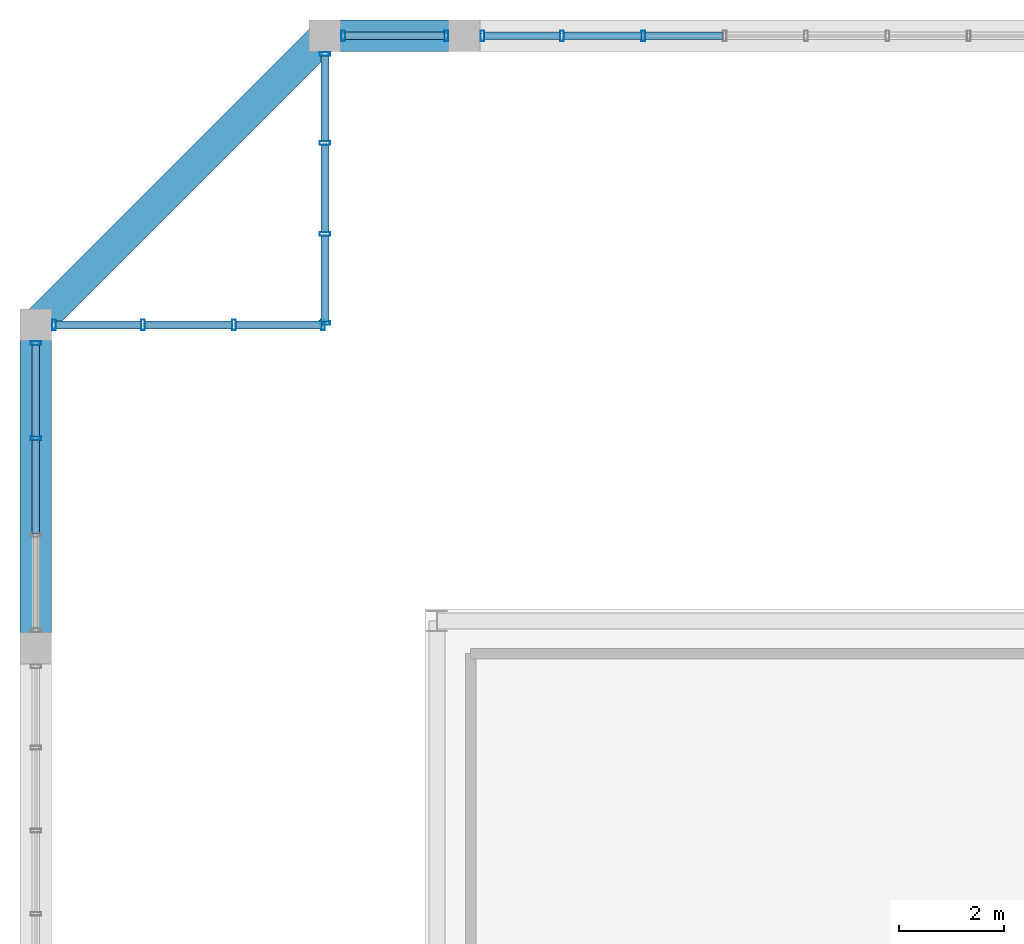
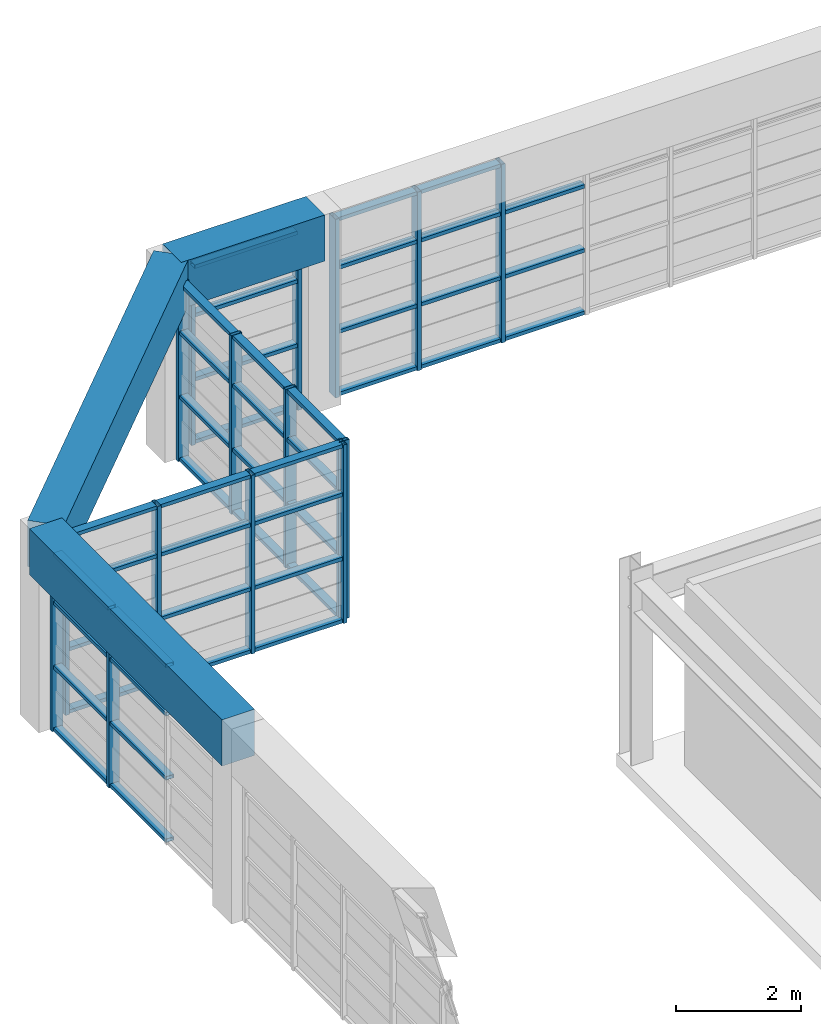
# One storey, part 17 of 27: 62 members, 3 beams, 5 elements without a shape of their own.
"""IFC4 building model written with IfcOpenShell, lengths in metres."""

import ifcopenshell
import ifcopenshell.guid

model = None  # the IFC model being written
_history = None  # IfcOwnerHistory: only IFC2X3 demands one
_inside = {}  # id of a spatial element -> (the spatial element, [elements in it])
_under = {}  # id of a project, library or spatial element -> (it, [spatial elements below it])
_declared = {}  # id of a project -> (the project, [libraries it declares])
_typed = {}  # id of a type object -> (the type object, [elements of that type])
_made_of = {}  # id of a material, layer set ... -> (it, [elements and type objects made of it])


def new_model(schema):
    """Start an empty IFC model of exactly this schema.

    Asked for "IFC4X3", IfcOpenShell would pick the latest addendum, in which some entities
    have other attributes; the version numbers below select the first issue.
    IFC2X3 requires an IfcOwnerHistory on every rooted entity: one is made here for all.
    """
    global model, _history
    if schema == "IFC4X3":
        model = ifcopenshell.file(schema_version=(4, 3, 0, 0))
    else:
        model = ifcopenshell.file(schema=schema)
    _inside.clear()
    _under.clear()
    _declared.clear()
    _typed.clear()
    _made_of.clear()
    _history = None
    if model.schema == "IFC2X3":
        org = make("IfcOrganization", Name="unknown")
        user = make(
            "IfcPersonAndOrganization",
            ThePerson=make("IfcPerson", FamilyName="unknown"),
            TheOrganization=org,
        )
        app = make(
            "IfcApplication",
            ApplicationDeveloper=org,
            Version="unknown",
            ApplicationFullName="unknown",
            ApplicationIdentifier="unknown",
        )
        _history = make(
            "IfcOwnerHistory",
            OwningUser=user,
            OwningApplication=app,
            ChangeAction="ADDED",
            CreationDate=0,
        )
    return model


def make(cls, **values):
    """One entity of the class cls with the attributes given. An attribute that is None is left unset."""
    return model.create_entity(
        cls, **{name: value for name, value in values.items() if value is not None}
    )


def rooted(cls, **values):
    """An entity with a GlobalId (a new one), such as an element, a storey or a relation."""
    return make(cls, GlobalId=ifcopenshell.guid.new(), OwnerHistory=_history, **values)


def si_unit(unit_type, name, prefix=None):
    """IfcSIUnit, for example si_unit("LENGTHUNIT", "METRE", prefix="MILLI")."""
    return make("IfcSIUnit", UnitType=unit_type, Prefix=prefix, Name=name)


def assignment(units):
    """IfcUnitAssignment: the units of a project."""
    return None if units is None else make("IfcUnitAssignment", Units=units)


def point(xyz):
    """IfcCartesianPoint."""
    return None if xyz is None else make("IfcCartesianPoint", Coordinates=xyz)


def direction(xyz):
    """IfcDirection."""
    return None if xyz is None else make("IfcDirection", DirectionRatios=xyz)


def frame(location, z_axis=None, x_axis=None):
    """IfcAxis2Placement3D, a coordinate frame: its origin and axes. An axis left out is left unset."""
    return make(
        "IfcAxis2Placement3D",
        Location=point(location),
        Axis=direction(z_axis),
        RefDirection=direction(x_axis),
    )


def frame_2d(location, x_axis=None):
    """IfcAxis2Placement2D, a coordinate frame in the plane: its origin and x axis."""
    return make(
        "IfcAxis2Placement2D", Location=point(location), RefDirection=direction(x_axis)
    )


def origin():
    """The frame at (0, 0, 0) with its axes left unset."""
    return frame((0.0, 0.0, 0.0))


def origin_2d():
    """The frame at (0, 0) in the plane with its x axis left unset."""
    return frame_2d((0.0, 0.0))


def place(relative_to, where):
    """IfcLocalPlacement: puts the frame where relative to a parent placement (None: the world)."""
    return make(
        "IfcLocalPlacement", PlacementRelTo=relative_to, RelativePlacement=where
    )


def context(
    kind, dimensions, precision=None, world=None, true_north=None, identifier=None
):
    """IfcGeometricRepresentationContext, for example the 3D "Model" context."""
    return make(
        "IfcGeometricRepresentationContext",
        ContextIdentifier=identifier,
        ContextType=kind,
        CoordinateSpaceDimension=dimensions,
        Precision=precision,
        WorldCoordinateSystem=world,
        TrueNorth=true_north,
    )


def subcontext(parent, identifier, kind, view, scale=None):
    """IfcGeometricRepresentationSubContext, for example "Body" below "Model"."""
    return make(
        "IfcGeometricRepresentationSubContext",
        ContextIdentifier=identifier,
        ContextType=kind,
        ParentContext=parent,
        TargetScale=scale,
        TargetView=view,
    )


def project(units=None, contexts=None):
    """IfcProject with its units and contexts."""
    return rooted(
        "IfcProject",
        Name="project",
        RepresentationContexts=contexts,
        UnitsInContext=assignment(units),
    )


def spatial(cls, under=None, at=None, **own):
    """A site, building, storey or space (cls), placed at a placement, below another one or the project."""
    s = rooted(cls, ObjectPlacement=at, **own)
    if under is not None:
        _under.setdefault(under.id(), (under, []))[1].append(s)
    return s


def profile(cls, at=None, kind="AREA", **sizes):
    """A parametric profile (cls). Its sizes go by their IFC names, for example OverallWidth=200.0."""
    return make(cls, ProfileType=kind, Position=at, **sizes)


def rectangle(**sizes):
    """IfcRectangleProfileDef."""
    return profile("IfcRectangleProfileDef", **sizes)


def hollow_rectangle(**sizes):
    """IfcRectangleHollowProfileDef."""
    return profile("IfcRectangleHollowProfileDef", **sizes)


def extrude(swept, where, along, depth):
    """IfcExtrudedAreaSolid: the profile swept, set in the frame where, extruded along a direction by depth."""
    return make(
        "IfcExtrudedAreaSolid",
        SweptArea=swept,
        Position=where,
        ExtrudedDirection=direction(along),
        Depth=depth,
    )


def shape(context_of_items, identifier, shape_type, items):
    """IfcShapeRepresentation: the items that make up one representation, for example the "Body"."""
    return make(
        "IfcShapeRepresentation",
        ContextOfItems=context_of_items,
        RepresentationIdentifier=identifier,
        RepresentationType=shape_type,
        Items=items,
    )


def source(mapping_origin, context_of_items, identifier, shape_type, items):
    """IfcRepresentationMap: a shape defined once, which mapped items show again and again."""
    return make(
        "IfcRepresentationMap",
        MappingOrigin=mapping_origin,
        MappedRepresentation=shape(context_of_items, identifier, shape_type, items),
    )


def transform(
    local_origin,
    x_axis=None,
    y_axis=None,
    z_axis=None,
    scale=None,
    scale2=None,
    scale3=None,
    uniform=True,
):
    """IfcCartesianTransformationOperator3D, or its non-uniform kind. x_axis, y_axis, z_axis: its Axis1, 2, 3."""
    if uniform:
        return make(
            "IfcCartesianTransformationOperator3D",
            Axis1=direction(x_axis),
            Axis2=direction(y_axis),
            LocalOrigin=point(local_origin),
            Scale=scale,
            Axis3=direction(z_axis),
        )
    return make(
        "IfcCartesianTransformationOperator3DnonUniform",
        Axis1=direction(x_axis),
        Axis2=direction(y_axis),
        LocalOrigin=point(local_origin),
        Scale=scale,
        Axis3=direction(z_axis),
        Scale2=scale2,
        Scale3=scale3,
    )


def mapped(mapping_source, mapping_target):
    """IfcMappedItem: shows the shape of a source again, moved by a transform."""
    return make(
        "IfcMappedItem", MappingSource=mapping_source, MappingTarget=mapping_target
    )


def material(Name=None, Category=None):
    """IfcMaterial."""
    return make("IfcMaterial", Name=Name, Category=Category)


def layer(
    of_material, thickness, ventilated=None, Name=None, Category=None, Priority=None
):
    """IfcMaterialLayer: one layer of a wall or slab, of a material (None: an air gap)."""
    return make(
        "IfcMaterialLayer",
        Material=of_material,
        LayerThickness=thickness,
        IsVentilated=ventilated,
        Name=Name,
        Category=Category,
        Priority=Priority,
    )


def layer_set(layers, Name=None):
    """IfcMaterialLayerSet."""
    return make("IfcMaterialLayerSet", MaterialLayers=layers, LayerSetName=Name)


def material_profile(
    of_material, cross_section, Name=None, Category=None, Priority=None
):
    """IfcMaterialProfile: a cross section and its material."""
    return make(
        "IfcMaterialProfile",
        Name=Name,
        Material=of_material,
        Profile=cross_section,
        Priority=Priority,
        Category=Category,
    )


def profile_set(profiles, Name=None, composite=None):
    """IfcMaterialProfileSet."""
    return make(
        "IfcMaterialProfileSet",
        Name=Name,
        MaterialProfiles=profiles,
        CompositeProfile=composite,
    )


def made_of(thing, what):
    """Note that an element or type object is made of a material, layer set ...; save() writes the relation."""
    if what is not None:
        _made_of.setdefault(what.id(), (what, []))[1].append(thing)
    return thing


def type_object(cls, material=None, **own):
    """A type object (cls), such as IfcWallType, which elements share."""
    return made_of(rooted(cls, **own), material)


def element(
    cls,
    number,
    at=None,
    inside=None,
    cuts=None,
    type_object=None,
    material=None,
    context=None,
    identifier="Body",
    shape_type=None,
    held_by="IfcProductDefinitionShape",
    body=None,
    shapes=None,
    **own,
):
    """One element of the class cls, such as IfcWall. Its Tag is "e" and its number.

    at: its placement. inside: the storey or other place that contains it. cuts: it is an
    opening in that element (IfcRelVoidsElement). A single representation is given by context,
    identifier, shape_type and body (its items); several are given by shapes. held_by: the class
    of the entity that holds the representations. save() writes the other relations.
    """
    e = rooted(cls, Tag="e%d" % number, ObjectPlacement=at, **own)
    if body is not None:
        shapes = [shape(context, identifier, shape_type, body)]
    if shapes is not None:
        e.Representation = make(held_by, Representations=shapes)
    if inside is not None:
        _inside.setdefault(inside.id(), (inside, []))[1].append(e)
    if cuts is not None:
        rooted(
            "IfcRelVoidsElement", RelatingBuildingElement=cuts, RelatedOpeningElement=e
        )
    if type_object is not None:
        _typed.setdefault(type_object.id(), (type_object, []))[1].append(e)
    return made_of(e, material)


def aggregate(whole, parts):
    """IfcRelAggregates: a whole, such as a stair, and the parts it consists of."""
    return rooted("IfcRelAggregates", RelatingObject=whole, RelatedObjects=parts)


def save(model, path):
    """Write the relations noted so far, then the file.

    IfcRelAggregates (storeys below a building ...), IfcRelContainedInSpatialStructure (elements
    in a storey), IfcRelDefinesByType, IfcRelAssociatesMaterial and IfcRelDeclares: one each for
    every whole, place, type object, material and project.
    """
    for whole, parts in _under.values():
        aggregate(whole, parts)
    for where, things in _inside.values():
        rooted(
            "IfcRelContainedInSpatialStructure",
            RelatedElements=things,
            RelatingStructure=where,
        )
    for kind, things in _typed.values():
        rooted("IfcRelDefinesByType", RelatedObjects=things, RelatingType=kind)
    for what, things in _made_of.values():
        rooted("IfcRelAssociatesMaterial", RelatedObjects=things, RelatingMaterial=what)
    for by, libraries in _declared.values():
        rooted("IfcRelDeclares", RelatingContext=by, RelatedDefinitions=libraries)
    model.write(path)


model = new_model("IFC4")

# Units and contexts
model_context = context("Model", 3, precision=1e-05, world=origin(), true_north=direction((0.0, 1.0)))
body_context = subcontext(model_context, "Body", "Model", "MODEL_VIEW")
ifc_project = project(units=[si_unit("LENGTHUNIT", "METRE"), si_unit("AREAUNIT", "SQUARE_METRE"), si_unit("VOLUMEUNIT", "CUBIC_METRE"), si_unit("PLANEANGLEUNIT", "RADIAN"), si_unit("MASSUNIT", "GRAM", prefix="KILO")], contexts=[model_context])

# Site, building, storey
site_placement = place(None, origin())
site = spatial("IfcSite", under=ifc_project, at=site_placement, CompositionType="ELEMENT")
building_placement = place(site_placement, origin())
building = spatial("IfcBuilding", under=site, at=building_placement, Name="Saelheon Loggia Tower", CompositionType="ELEMENT")
storey_placement = place(building_placement, frame((0.0, 0.0, 256.0)))
storey = spatial("IfcBuildingStorey", under=building, at=storey_placement, Name="CR2", CompositionType="ELEMENT", Elevation=256.0)

# Beams
ifc_material_1 = material(Name="Precast Concrete C45/55", Category="concrete")
ifc_material_profile_1 = material_profile(ifc_material_1, rectangle(XDim=0.60009765625, YDim=0.89990234375, at=origin_2d()), Name="RC-600x900")
ifc_profile_set_1 = profile_set([ifc_material_profile_1], Name="Precast Concrete C45/55")
beam_type = type_object("IfcBeamType", Name="CrownFrame_Ring_RC600x900", PredefinedType="BEAM", material=ifc_profile_set_1)
shared_shape_1 = source(origin(), body_context, "Body", "SweptSolid", [
    extrude(rectangle(XDim=0.60009765625, YDim=0.89990234375, at=origin_2d()), origin(), (0.0, 0.0, 1.0), 2.64990234375),
])
beam_1_placement = place(storey_placement, frame((31.5, 47.64990234375, 3.35009765625), z_axis=(-1.0, 0.0, 0.0), x_axis=(0.0, -1.0, 0.0)))
element("IfcBeam", 1, at=beam_1_placement, inside=storey, type_object=beam_type, Name="CR2 CROWN FRAME Ring Beam 11", PredefinedType="BEAM", context=body_context, shape_type="MappedRepresentation", body=[
    mapped(shared_shape_1, transform((0.0, 0.0, 0.0), scale=1.0)),
])
shared_shape_2 = source(origin(), body_context, "Body", "SweptSolid", [
    extrude(rectangle(XDim=0.60009765625, YDim=0.89990234375, at=origin_2d()), origin(), (0.0, 0.0, 1.0), 7.778076171875),
])
beam_2_placement = place(storey_placement, frame((28.85009765625, 47.64990234375, 3.35009765625), z_axis=(-0.707106781187, -0.707106781187, 0.0), x_axis=(0.707106781187, -0.707106781187, 0.0)))
element("IfcBeam", 2, at=beam_2_placement, inside=storey, type_object=beam_type, Name="CR2 CROWN FRAME Ring Beam 12", PredefinedType="BEAM", context=body_context, shape_type="MappedRepresentation", body=[
    mapped(shared_shape_2, transform((0.0, 0.0, 0.0), scale=1.0)),
])
shared_shape_3 = source(origin(), body_context, "Body", "SweptSolid", [
    extrude(rectangle(XDim=0.60009765625, YDim=0.89990234375, at=origin_2d()), origin(), (0.0, 0.0, 1.0), 6.14990234375),
])
beam_3_placement = place(storey_placement, frame((23.35009765625, 42.14990234375, 3.35009765625), z_axis=(0.0, -1.0, 0.0), x_axis=(1.0, 0.0, 0.0)))
element("IfcBeam", 3, at=beam_3_placement, inside=storey, type_object=beam_type, Name="CR2 CROWN FRAME Ring Beam 13", PredefinedType="BEAM", context=body_context, shape_type="MappedRepresentation", body=[
    mapped(shared_shape_3, transform((0.0, 0.0, 0.0), scale=1.0)),
])

# Curtain wall, members
ifc_material_2 = material(Name="Bronze-Anodised Aluminium and Fritted Ceramic Screen", Category="aluminium")
ifc_layer = layer(ifc_material_2, 0.219970703125)
ifc_layer_set = layer_set([ifc_layer], Name="Bronze-Anodised Aluminium and Fritted Ceramic Screen")
curtain_wall_type = type_object("IfcCurtainWallType", Name="CW_CrownScreen", PredefinedType="NOTDEFINED", material=ifc_layer_set)
curtain_wall_1_placement = place(storey_placement, origin())
curtain_wall_1 = element("IfcCurtainWall", 4, at=curtain_wall_1_placement, inside=storey, type_object=curtain_wall_type, Name="CR2 Crown Screen Curtain Wall 6-2", PredefinedType="NOTDEFINED")
ifc_material_3 = material(Name="Bronze-Anodised Aluminium 6063-T6", Category="aluminium")
ifc_material_profile_2 = material_profile(ifc_material_3, hollow_rectangle(XDim=0.070068359375, YDim=0.199951171875, WallThickness=0.0048828125, at=origin_2d()), Name="RHS-200x70x5")
ifc_profile_set_2 = profile_set([ifc_material_profile_2], Name="Bronze-Anodised Aluminium 6063-T6")
member_type_1 = type_object("IfcMemberType", Name="CW_CrownScreen_Mullion", PredefinedType="MULLION", material=ifc_profile_set_2)
shared_shape_4 = source(origin(), body_context, "Body", "SweptSolid", [
    extrude(hollow_rectangle(XDim=0.070068359375, YDim=0.199951171875, WallThickness=0.0048828125, at=origin_2d()), origin(), (0.0, 0.0, 1.0), 3.47998046875),
])
member_1_placement = place(storey_placement, frame((34.905029296875, 47.64990234375, 0.0), z_axis=(0.0, 0.0, 1.0), x_axis=(-1.0, 0.0, 0.0)))
member_1 = element("IfcMember", 5, at=member_1_placement, type_object=member_type_1, Name="CW6 mullion 7", PredefinedType="MULLION", context=body_context, shape_type="MappedRepresentation", body=[
    mapped(shared_shape_4, transform((0.0, 0.0, 0.0), scale=1.0)),
])
member_2_placement = place(storey_placement, frame((33.357421875, 47.64990234375, 0.0), z_axis=(0.0, 0.0, 1.0), x_axis=(-1.0, 0.0, 0.0)))
member_2 = element("IfcMember", 6, at=member_2_placement, type_object=member_type_1, Name="CW6 mullion 8", PredefinedType="MULLION", context=body_context, shape_type="MappedRepresentation", body=[
    mapped(shared_shape_4, transform((0.0, 0.0, 0.0), scale=1.0)),
])
member_3_placement = place(storey_placement, frame((31.844970703125, 47.64990234375, 0.0), z_axis=(0.0, 0.0, 1.0), x_axis=(-1.0, 0.0, 0.0)))
member_3 = element("IfcMember", 7, at=member_3_placement, type_object=member_type_1, Name="CW6 mullion 9", PredefinedType="MULLION", context=body_context, shape_type="MappedRepresentation", body=[
    mapped(shared_shape_4, transform((0.0, 0.0, 0.0), scale=1.0)),
])

curtain_wall_2_placement = place(storey_placement, origin())
curtain_wall_2 = element("IfcCurtainWall", 8, at=curtain_wall_2_placement, inside=storey, type_object=curtain_wall_type, Name="CR2 Crown Screen Curtain Wall 6-3", PredefinedType="NOTDEFINED")
member_4_placement = place(storey_placement, frame((31.155029296875, 47.64990234375, 0.0), z_axis=(0.0, 0.0, 1.0), x_axis=(-1.0, 0.0, 0.0)))
member_4 = element("IfcMember", 9, at=member_4_placement, type_object=member_type_1, Name="CW6 mullion 1", PredefinedType="MULLION", context=body_context, shape_type="MappedRepresentation", body=[
    mapped(shared_shape_4, transform((0.0, 0.0, 0.0), scale=1.0)),
])
member_5_placement = place(storey_placement, frame((29.195068359375, 47.64990234375, 0.0), z_axis=(0.0, 0.0, 1.0), x_axis=(-1.0, 0.0, 0.0)))
member_5 = element("IfcMember", 10, at=member_5_placement, type_object=member_type_1, Name="CW6 mullion 2", PredefinedType="MULLION", context=body_context, shape_type="MappedRepresentation", body=[
    mapped(shared_shape_4, transform((0.0, 0.0, 0.0), scale=1.0)),
])

curtain_wall_3_placement = place(storey_placement, origin())
curtain_wall_3 = element("IfcCurtainWall", 11, at=curtain_wall_3_placement, inside=storey, type_object=curtain_wall_type, Name="CR2 Crown Screen Curtain Wall 7-1", PredefinedType="NOTDEFINED")
member_6_placement = place(storey_placement, frame((28.85009765625, 47.304931640625, 0.0), z_axis=(0.0, 0.0, 1.0), x_axis=(0.0, -1.0, 0.0)))
member_6 = element("IfcMember", 12, at=member_6_placement, type_object=member_type_1, Name="CW6 mullion 1", PredefinedType="MULLION", context=body_context, shape_type="MappedRepresentation", body=[
    mapped(shared_shape_4, transform((0.0, 0.0, 0.0), scale=1.0)),
])
member_7_placement = place(storey_placement, frame((28.85009765625, 45.610107421875, 0.0), z_axis=(0.0, 0.0, 1.0), x_axis=(0.0, -1.0, 0.0)))
member_7 = element("IfcMember", 13, at=member_7_placement, type_object=member_type_1, Name="CW6 mullion 2", PredefinedType="MULLION", context=body_context, shape_type="MappedRepresentation", body=[
    mapped(shared_shape_4, transform((0.0, 0.0, 0.0), scale=1.0)),
])
member_8_placement = place(storey_placement, frame((28.85009765625, 43.8798828125, 0.0), z_axis=(0.0, 0.0, 1.0), x_axis=(0.0, -1.0, 0.0)))
member_8 = element("IfcMember", 14, at=member_8_placement, type_object=member_type_1, Name="CW6 mullion 3", PredefinedType="MULLION", context=body_context, shape_type="MappedRepresentation", body=[
    mapped(shared_shape_4, transform((0.0, 0.0, 0.0), scale=1.0)),
])
member_9_placement = place(storey_placement, frame((28.85009765625, 42.18505859375, 0.0), z_axis=(0.0, 0.0, 1.0), x_axis=(0.0, -1.0, 0.0)))
member_9 = element("IfcMember", 15, at=member_9_placement, type_object=member_type_1, Name="CW6 mullion 4", PredefinedType="MULLION", context=body_context, shape_type="MappedRepresentation", body=[
    mapped(shared_shape_4, transform((0.0, 0.0, 0.0), scale=1.0)),
])

curtain_wall_4_placement = place(storey_placement, origin())
curtain_wall_4 = element("IfcCurtainWall", 16, at=curtain_wall_4_placement, inside=storey, type_object=curtain_wall_type, Name="CR2 Crown Screen Curtain Wall 8-1", PredefinedType="NOTDEFINED")
member_10_placement = place(storey_placement, frame((28.81494140625, 42.14990234375, 0.0), z_axis=(0.0, 0.0, 1.0), x_axis=(-1.0, 0.0, 0.0)))
member_10 = element("IfcMember", 17, at=member_10_placement, type_object=member_type_1, Name="CW6 mullion 1", PredefinedType="MULLION", context=body_context, shape_type="MappedRepresentation", body=[
    mapped(shared_shape_4, transform((0.0, 0.0, 0.0), scale=1.0)),
])
member_11_placement = place(storey_placement, frame((27.1201171875, 42.14990234375, 0.0), z_axis=(0.0, 0.0, 1.0), x_axis=(-1.0, 0.0, 0.0)))
member_11 = element("IfcMember", 18, at=member_11_placement, type_object=member_type_1, Name="CW6 mullion 2", PredefinedType="MULLION", context=body_context, shape_type="MappedRepresentation", body=[
    mapped(shared_shape_4, transform((0.0, 0.0, 0.0), scale=1.0)),
])
member_12_placement = place(storey_placement, frame((25.389892578125, 42.14990234375, 0.0), z_axis=(0.0, 0.0, 1.0), x_axis=(-1.0, 0.0, 0.0)))
member_12 = element("IfcMember", 19, at=member_12_placement, type_object=member_type_1, Name="CW6 mullion 3", PredefinedType="MULLION", context=body_context, shape_type="MappedRepresentation", body=[
    mapped(shared_shape_4, transform((0.0, 0.0, 0.0), scale=1.0)),
])
member_13_placement = place(storey_placement, frame((23.695068359375, 42.14990234375, 0.0), z_axis=(0.0, 0.0, 1.0), x_axis=(-1.0, 0.0, 0.0)))
member_13 = element("IfcMember", 20, at=member_13_placement, type_object=member_type_1, Name="CW6 mullion 4", PredefinedType="MULLION", context=body_context, shape_type="MappedRepresentation", body=[
    mapped(shared_shape_4, transform((0.0, 0.0, 0.0), scale=1.0)),
])

curtain_wall_5_placement = place(storey_placement, origin())
curtain_wall_5 = element("IfcCurtainWall", 21, at=curtain_wall_5_placement, inside=storey, type_object=curtain_wall_type, Name="CR2 Crown Screen Curtain Wall 9-1", PredefinedType="NOTDEFINED")
member_14_placement = place(storey_placement, frame((23.35009765625, 41.804931640625, 0.0), z_axis=(0.0, 0.0, 1.0), x_axis=(0.0, -1.0, 0.0)))
member_14 = element("IfcMember", 22, at=member_14_placement, type_object=member_type_1, Name="CW6 mullion 1", PredefinedType="MULLION", context=body_context, shape_type="MappedRepresentation", body=[
    mapped(shared_shape_4, transform((0.0, 0.0, 0.0), scale=1.0)),
])
member_15_placement = place(storey_placement, frame((23.35009765625, 39.99658203125, 0.0), z_axis=(0.0, 0.0, 1.0), x_axis=(0.0, -1.0, 0.0)))
member_15 = element("IfcMember", 23, at=member_15_placement, type_object=member_type_1, Name="CW6 mullion 2", PredefinedType="MULLION", context=body_context, shape_type="MappedRepresentation", body=[
    mapped(shared_shape_4, transform((0.0, 0.0, 0.0), scale=1.0)),
])

# Member
ifc_material_profile_3 = material_profile(ifc_material_3, hollow_rectangle(XDim=0.070068359375, YDim=0.14990234375, WallThickness=0.0048828125, at=origin_2d()), Name="RHS-150x70x5")
ifc_profile_set_3 = profile_set([ifc_material_profile_3], Name="Bronze-Anodised Aluminium 6063-T6")
member_type_2 = type_object("IfcMemberType", Name="CW_CrownScreen_Transom", PredefinedType="USERDEFINED", material=ifc_profile_set_3)
shared_shape_5 = source(origin(), body_context, "Body", "SweptSolid", [
    extrude(hollow_rectangle(XDim=0.070068359375, YDim=0.14990234375, WallThickness=0.0048828125, at=origin_2d()), origin(), (0.0, 0.0, 1.0), 1.89013671875),
])
member_16_placement = place(storey_placement, frame((31.1201171875, 47.64990234375, 0.034912109375), z_axis=(-1.0, 0.0, 0.0), x_axis=(0.0, 0.0, 1.0)))
member_16 = element("IfcMember", 24, at=member_16_placement, type_object=member_type_2, Name="CW6 transom 1.1", ObjectType="TRANSOM", PredefinedType="USERDEFINED", context=body_context, shape_type="MappedRepresentation", body=[
    mapped(shared_shape_5, transform((0.0, 0.0, 0.0), scale=1.0)),
])

member_17_placement = place(storey_placement, frame((31.1201171875, 47.64990234375, 1.25), z_axis=(-1.0, 0.0, 0.0), x_axis=(0.0, 0.0, 1.0)))
member_17 = element("IfcMember", 25, at=member_17_placement, type_object=member_type_2, Name="CW6 transom 1.2", ObjectType="TRANSOM", PredefinedType="USERDEFINED", context=body_context, shape_type="MappedRepresentation", body=[
    mapped(shared_shape_5, transform((0.0, 0.0, 0.0), scale=1.0)),
])

member_18_placement = place(storey_placement, frame((31.1201171875, 47.64990234375, 2.5), z_axis=(-1.0, 0.0, 0.0), x_axis=(0.0, 0.0, 1.0)))
member_18 = element("IfcMember", 26, at=member_18_placement, type_object=member_type_2, Name="CW6 transom 1.3", ObjectType="TRANSOM", PredefinedType="USERDEFINED", context=body_context, shape_type="MappedRepresentation", body=[
    mapped(shared_shape_5, transform((0.0, 0.0, 0.0), scale=1.0)),
])

member_19_placement = place(storey_placement, frame((31.1201171875, 47.64990234375, 3.445068359375), z_axis=(-1.0, 0.0, 0.0), x_axis=(0.0, 0.0, 1.0)))
member_19 = element("IfcMember", 27, at=member_19_placement, type_object=member_type_2, Name="CW6 transom 1.4", ObjectType="TRANSOM", PredefinedType="USERDEFINED", context=body_context, shape_type="MappedRepresentation", body=[
    mapped(shared_shape_5, transform((0.0, 0.0, 0.0), scale=1.0)),
])

aggregate(curtain_wall_2, [member_4, member_5, member_16, member_17, member_18, member_19])

shared_shape_6 = source(origin(), body_context, "Body", "SweptSolid", [
    extrude(hollow_rectangle(XDim=0.070068359375, YDim=0.14990234375, WallThickness=0.0048828125, at=origin_2d()), origin(), (0.0, 0.0, 1.0), 1.442626953125),
])
member_20_placement = place(storey_placement, frame((33.322509765625, 47.64990234375, 0.034912109375), z_axis=(-1.0, 0.0, 0.0), x_axis=(0.0, 0.0, 1.0)))
member_20 = element("IfcMember", 28, at=member_20_placement, type_object=member_type_2, Name="CW6 transom 8.1", ObjectType="TRANSOM", PredefinedType="USERDEFINED", context=body_context, shape_type="MappedRepresentation", body=[
    mapped(shared_shape_6, transform((0.0, 0.0, 0.0), scale=1.0)),
])

member_21_placement = place(storey_placement, frame((33.322509765625, 47.64990234375, 1.25), z_axis=(-1.0, 0.0, 0.0), x_axis=(0.0, 0.0, 1.0)))
member_21 = element("IfcMember", 29, at=member_21_placement, type_object=member_type_2, Name="CW6 transom 8.2", ObjectType="TRANSOM", PredefinedType="USERDEFINED", context=body_context, shape_type="MappedRepresentation", body=[
    mapped(shared_shape_6, transform((0.0, 0.0, 0.0), scale=1.0)),
])

member_22_placement = place(storey_placement, frame((33.322509765625, 47.64990234375, 2.5), z_axis=(-1.0, 0.0, 0.0), x_axis=(0.0, 0.0, 1.0)))
member_22 = element("IfcMember", 30, at=member_22_placement, type_object=member_type_2, Name="CW6 transom 8.3", ObjectType="TRANSOM", PredefinedType="USERDEFINED", context=body_context, shape_type="MappedRepresentation", body=[
    mapped(shared_shape_6, transform((0.0, 0.0, 0.0), scale=1.0)),
])

member_23_placement = place(storey_placement, frame((33.322509765625, 47.64990234375, 3.445068359375), z_axis=(-1.0, 0.0, 0.0), x_axis=(0.0, 0.0, 1.0)))
member_23 = element("IfcMember", 31, at=member_23_placement, type_object=member_type_2, Name="CW6 transom 8.4", ObjectType="TRANSOM", PredefinedType="USERDEFINED", context=body_context, shape_type="MappedRepresentation", body=[
    mapped(shared_shape_6, transform((0.0, 0.0, 0.0), scale=1.0)),
])

shared_shape_7 = source(origin(), body_context, "Body", "SweptSolid", [
    extrude(hollow_rectangle(XDim=0.070068359375, YDim=0.14990234375, WallThickness=0.0048828125, at=origin_2d()), origin(), (0.0, 0.0, 1.0), 1.4775390625),
])
member_24_placement = place(storey_placement, frame((36.41748046875, 47.64990234375, 0.034912109375), z_axis=(-1.0, 0.0, 0.0), x_axis=(0.0, 0.0, 1.0)))
member_24 = element("IfcMember", 32, at=member_24_placement, type_object=member_type_2, Name="CW6 transom 6.1", ObjectType="TRANSOM", PredefinedType="USERDEFINED", context=body_context, shape_type="MappedRepresentation", body=[
    mapped(shared_shape_7, transform((0.0, 0.0, 0.0), scale=1.0)),
])

member_25_placement = place(storey_placement, frame((36.41748046875, 47.64990234375, 1.25), z_axis=(-1.0, 0.0, 0.0), x_axis=(0.0, 0.0, 1.0)))
member_25 = element("IfcMember", 33, at=member_25_placement, type_object=member_type_2, Name="CW6 transom 6.2", ObjectType="TRANSOM", PredefinedType="USERDEFINED", context=body_context, shape_type="MappedRepresentation", body=[
    mapped(shared_shape_7, transform((0.0, 0.0, 0.0), scale=1.0)),
])

member_26_placement = place(storey_placement, frame((36.41748046875, 47.64990234375, 2.5), z_axis=(-1.0, 0.0, 0.0), x_axis=(0.0, 0.0, 1.0)))
member_26 = element("IfcMember", 34, at=member_26_placement, type_object=member_type_2, Name="CW6 transom 6.3", ObjectType="TRANSOM", PredefinedType="USERDEFINED", context=body_context, shape_type="MappedRepresentation", body=[
    mapped(shared_shape_7, transform((0.0, 0.0, 0.0), scale=1.0)),
])

member_27_placement = place(storey_placement, frame((34.8701171875, 47.64990234375, 0.034912109375), z_axis=(-1.0, 0.0, 0.0), x_axis=(0.0, 0.0, 1.0)))
member_27 = element("IfcMember", 35, at=member_27_placement, type_object=member_type_2, Name="CW6 transom 7.1", ObjectType="TRANSOM", PredefinedType="USERDEFINED", context=body_context, shape_type="MappedRepresentation", body=[
    mapped(shared_shape_7, transform((0.0, 0.0, 0.0), scale=1.0)),
])

member_28_placement = place(storey_placement, frame((34.8701171875, 47.64990234375, 1.25), z_axis=(-1.0, 0.0, 0.0), x_axis=(0.0, 0.0, 1.0)))
member_28 = element("IfcMember", 36, at=member_28_placement, type_object=member_type_2, Name="CW6 transom 7.2", ObjectType="TRANSOM", PredefinedType="USERDEFINED", context=body_context, shape_type="MappedRepresentation", body=[
    mapped(shared_shape_7, transform((0.0, 0.0, 0.0), scale=1.0)),
])

member_29_placement = place(storey_placement, frame((34.8701171875, 47.64990234375, 2.5), z_axis=(-1.0, 0.0, 0.0), x_axis=(0.0, 0.0, 1.0)))
member_29 = element("IfcMember", 37, at=member_29_placement, type_object=member_type_2, Name="CW6 transom 7.3", ObjectType="TRANSOM", PredefinedType="USERDEFINED", context=body_context, shape_type="MappedRepresentation", body=[
    mapped(shared_shape_7, transform((0.0, 0.0, 0.0), scale=1.0)),
])

member_30_placement = place(storey_placement, frame((34.8701171875, 47.64990234375, 3.445068359375), z_axis=(-1.0, 0.0, 0.0), x_axis=(0.0, 0.0, 1.0)))
member_30 = element("IfcMember", 38, at=member_30_placement, type_object=member_type_2, Name="CW6 transom 7.4", ObjectType="TRANSOM", PredefinedType="USERDEFINED", context=body_context, shape_type="MappedRepresentation", body=[
    mapped(shared_shape_7, transform((0.0, 0.0, 0.0), scale=1.0)),
])

aggregate(curtain_wall_1, [member_1, member_2, member_3, member_24, member_25, member_26, member_27, member_28, member_29, member_30, member_20, member_21, member_22, member_23])

shared_shape_8 = source(origin(), body_context, "Body", "SweptSolid", [
    extrude(hollow_rectangle(XDim=0.070068359375, YDim=0.14990234375, WallThickness=0.0048828125, at=origin_2d()), origin(), (0.0, 0.0, 1.0), 1.625),
])
member_31_placement = place(storey_placement, frame((28.85009765625, 47.27001953125, 0.034912109375), z_axis=(0.0, -1.0, 0.0), x_axis=(0.0, 0.0, 1.0)))
member_31 = element("IfcMember", 39, at=member_31_placement, type_object=member_type_2, Name="CW6 transom 1.1", ObjectType="TRANSOM", PredefinedType="USERDEFINED", context=body_context, shape_type="MappedRepresentation", body=[
    mapped(shared_shape_8, transform((0.0, 0.0, 0.0), scale=1.0)),
])

member_32_placement = place(storey_placement, frame((28.85009765625, 47.27001953125, 1.25), z_axis=(0.0, -1.0, 0.0), x_axis=(0.0, 0.0, 1.0)))
member_32 = element("IfcMember", 40, at=member_32_placement, type_object=member_type_2, Name="CW6 transom 1.2", ObjectType="TRANSOM", PredefinedType="USERDEFINED", context=body_context, shape_type="MappedRepresentation", body=[
    mapped(shared_shape_8, transform((0.0, 0.0, 0.0), scale=1.0)),
])

member_33_placement = place(storey_placement, frame((28.85009765625, 47.27001953125, 2.5), z_axis=(0.0, -1.0, 0.0), x_axis=(0.0, 0.0, 1.0)))
member_33 = element("IfcMember", 41, at=member_33_placement, type_object=member_type_2, Name="CW6 transom 1.3", ObjectType="TRANSOM", PredefinedType="USERDEFINED", context=body_context, shape_type="MappedRepresentation", body=[
    mapped(shared_shape_8, transform((0.0, 0.0, 0.0), scale=1.0)),
])

member_34_placement = place(storey_placement, frame((28.85009765625, 47.27001953125, 3.445068359375), z_axis=(0.0, -1.0, 0.0), x_axis=(0.0, 0.0, 1.0)))
member_34 = element("IfcMember", 42, at=member_34_placement, type_object=member_type_2, Name="CW6 transom 1.4", ObjectType="TRANSOM", PredefinedType="USERDEFINED", context=body_context, shape_type="MappedRepresentation", body=[
    mapped(shared_shape_8, transform((0.0, 0.0, 0.0), scale=1.0)),
])

member_35_placement = place(storey_placement, frame((28.85009765625, 43.844970703125, 0.034912109375), z_axis=(0.0, -1.0, 0.0), x_axis=(0.0, 0.0, 1.0)))
member_35 = element("IfcMember", 43, at=member_35_placement, type_object=member_type_2, Name="CW6 transom 3.1", ObjectType="TRANSOM", PredefinedType="USERDEFINED", context=body_context, shape_type="MappedRepresentation", body=[
    mapped(shared_shape_8, transform((0.0, 0.0, 0.0), scale=1.0)),
])

member_36_placement = place(storey_placement, frame((28.85009765625, 43.844970703125, 1.25), z_axis=(0.0, -1.0, 0.0), x_axis=(0.0, 0.0, 1.0)))
member_36 = element("IfcMember", 44, at=member_36_placement, type_object=member_type_2, Name="CW6 transom 3.2", ObjectType="TRANSOM", PredefinedType="USERDEFINED", context=body_context, shape_type="MappedRepresentation", body=[
    mapped(shared_shape_8, transform((0.0, 0.0, 0.0), scale=1.0)),
])

member_37_placement = place(storey_placement, frame((28.85009765625, 43.844970703125, 2.5), z_axis=(0.0, -1.0, 0.0), x_axis=(0.0, 0.0, 1.0)))
member_37 = element("IfcMember", 45, at=member_37_placement, type_object=member_type_2, Name="CW6 transom 3.3", ObjectType="TRANSOM", PredefinedType="USERDEFINED", context=body_context, shape_type="MappedRepresentation", body=[
    mapped(shared_shape_8, transform((0.0, 0.0, 0.0), scale=1.0)),
])

member_38_placement = place(storey_placement, frame((28.85009765625, 43.844970703125, 3.445068359375), z_axis=(0.0, -1.0, 0.0), x_axis=(0.0, 0.0, 1.0)))
member_38 = element("IfcMember", 46, at=member_38_placement, type_object=member_type_2, Name="CW6 transom 3.4", ObjectType="TRANSOM", PredefinedType="USERDEFINED", context=body_context, shape_type="MappedRepresentation", body=[
    mapped(shared_shape_8, transform((0.0, 0.0, 0.0), scale=1.0)),
])

member_39_placement = place(storey_placement, frame((28.780029296875, 42.14990234375, 0.034912109375), z_axis=(-1.0, 0.0, 0.0), x_axis=(0.0, 0.0, 1.0)))
member_39 = element("IfcMember", 47, at=member_39_placement, type_object=member_type_2, Name="CW6 transom 1.1", ObjectType="TRANSOM", PredefinedType="USERDEFINED", context=body_context, shape_type="MappedRepresentation", body=[
    mapped(shared_shape_8, transform((0.0, 0.0, 0.0), scale=1.0)),
])

member_40_placement = place(storey_placement, frame((28.780029296875, 42.14990234375, 1.25), z_axis=(-1.0, 0.0, 0.0), x_axis=(0.0, 0.0, 1.0)))
member_40 = element("IfcMember", 48, at=member_40_placement, type_object=member_type_2, Name="CW6 transom 1.2", ObjectType="TRANSOM", PredefinedType="USERDEFINED", context=body_context, shape_type="MappedRepresentation", body=[
    mapped(shared_shape_8, transform((0.0, 0.0, 0.0), scale=1.0)),
])

member_41_placement = place(storey_placement, frame((28.780029296875, 42.14990234375, 2.5), z_axis=(-1.0, 0.0, 0.0), x_axis=(0.0, 0.0, 1.0)))
member_41 = element("IfcMember", 49, at=member_41_placement, type_object=member_type_2, Name="CW6 transom 1.3", ObjectType="TRANSOM", PredefinedType="USERDEFINED", context=body_context, shape_type="MappedRepresentation", body=[
    mapped(shared_shape_8, transform((0.0, 0.0, 0.0), scale=1.0)),
])

member_42_placement = place(storey_placement, frame((28.780029296875, 42.14990234375, 3.445068359375), z_axis=(-1.0, 0.0, 0.0), x_axis=(0.0, 0.0, 1.0)))
member_42 = element("IfcMember", 50, at=member_42_placement, type_object=member_type_2, Name="CW6 transom 1.4", ObjectType="TRANSOM", PredefinedType="USERDEFINED", context=body_context, shape_type="MappedRepresentation", body=[
    mapped(shared_shape_8, transform((0.0, 0.0, 0.0), scale=1.0)),
])

member_43_placement = place(storey_placement, frame((25.35498046875, 42.14990234375, 0.034912109375), z_axis=(-1.0, 0.0, 0.0), x_axis=(0.0, 0.0, 1.0)))
member_43 = element("IfcMember", 51, at=member_43_placement, type_object=member_type_2, Name="CW6 transom 3.1", ObjectType="TRANSOM", PredefinedType="USERDEFINED", context=body_context, shape_type="MappedRepresentation", body=[
    mapped(shared_shape_8, transform((0.0, 0.0, 0.0), scale=1.0)),
])

member_44_placement = place(storey_placement, frame((25.35498046875, 42.14990234375, 1.25), z_axis=(-1.0, 0.0, 0.0), x_axis=(0.0, 0.0, 1.0)))
member_44 = element("IfcMember", 52, at=member_44_placement, type_object=member_type_2, Name="CW6 transom 3.2", ObjectType="TRANSOM", PredefinedType="USERDEFINED", context=body_context, shape_type="MappedRepresentation", body=[
    mapped(shared_shape_8, transform((0.0, 0.0, 0.0), scale=1.0)),
])

member_45_placement = place(storey_placement, frame((25.35498046875, 42.14990234375, 2.5), z_axis=(-1.0, 0.0, 0.0), x_axis=(0.0, 0.0, 1.0)))
member_45 = element("IfcMember", 53, at=member_45_placement, type_object=member_type_2, Name="CW6 transom 3.3", ObjectType="TRANSOM", PredefinedType="USERDEFINED", context=body_context, shape_type="MappedRepresentation", body=[
    mapped(shared_shape_8, transform((0.0, 0.0, 0.0), scale=1.0)),
])

member_46_placement = place(storey_placement, frame((25.35498046875, 42.14990234375, 3.445068359375), z_axis=(-1.0, 0.0, 0.0), x_axis=(0.0, 0.0, 1.0)))
member_46 = element("IfcMember", 54, at=member_46_placement, type_object=member_type_2, Name="CW6 transom 3.4", ObjectType="TRANSOM", PredefinedType="USERDEFINED", context=body_context, shape_type="MappedRepresentation", body=[
    mapped(shared_shape_8, transform((0.0, 0.0, 0.0), scale=1.0)),
])

shared_shape_9 = source(origin(), body_context, "Body", "SweptSolid", [
    extrude(hollow_rectangle(XDim=0.070068359375, YDim=0.14990234375, WallThickness=0.0048828125, at=origin_2d()), origin(), (0.0, 0.0, 1.0), 1.659912109375),
])
member_47_placement = place(storey_placement, frame((28.85009765625, 45.574951171875, 0.034912109375), z_axis=(0.0, -1.0, 0.0), x_axis=(0.0, 0.0, 1.0)))
member_47 = element("IfcMember", 55, at=member_47_placement, type_object=member_type_2, Name="CW6 transom 2.1", ObjectType="TRANSOM", PredefinedType="USERDEFINED", context=body_context, shape_type="MappedRepresentation", body=[
    mapped(shared_shape_9, transform((0.0, 0.0, 0.0), scale=1.0)),
])

member_48_placement = place(storey_placement, frame((28.85009765625, 45.574951171875, 1.25), z_axis=(0.0, -1.0, 0.0), x_axis=(0.0, 0.0, 1.0)))
member_48 = element("IfcMember", 56, at=member_48_placement, type_object=member_type_2, Name="CW6 transom 2.2", ObjectType="TRANSOM", PredefinedType="USERDEFINED", context=body_context, shape_type="MappedRepresentation", body=[
    mapped(shared_shape_9, transform((0.0, 0.0, 0.0), scale=1.0)),
])

member_49_placement = place(storey_placement, frame((28.85009765625, 45.574951171875, 2.5), z_axis=(0.0, -1.0, 0.0), x_axis=(0.0, 0.0, 1.0)))
member_49 = element("IfcMember", 57, at=member_49_placement, type_object=member_type_2, Name="CW6 transom 2.3", ObjectType="TRANSOM", PredefinedType="USERDEFINED", context=body_context, shape_type="MappedRepresentation", body=[
    mapped(shared_shape_9, transform((0.0, 0.0, 0.0), scale=1.0)),
])

member_50_placement = place(storey_placement, frame((28.85009765625, 45.574951171875, 3.445068359375), z_axis=(0.0, -1.0, 0.0), x_axis=(0.0, 0.0, 1.0)))
member_50 = element("IfcMember", 58, at=member_50_placement, type_object=member_type_2, Name="CW6 transom 2.4", ObjectType="TRANSOM", PredefinedType="USERDEFINED", context=body_context, shape_type="MappedRepresentation", body=[
    mapped(shared_shape_9, transform((0.0, 0.0, 0.0), scale=1.0)),
])

aggregate(curtain_wall_3, [member_6, member_7, member_8, member_9, member_31, member_32, member_33, member_34, member_47, member_48, member_49, member_50, member_35, member_36, member_37, member_38])

member_51_placement = place(storey_placement, frame((27.0849609375, 42.14990234375, 0.034912109375), z_axis=(-1.0, 0.0, 0.0), x_axis=(0.0, 0.0, 1.0)))
member_51 = element("IfcMember", 59, at=member_51_placement, type_object=member_type_2, Name="CW6 transom 2.1", ObjectType="TRANSOM", PredefinedType="USERDEFINED", context=body_context, shape_type="MappedRepresentation", body=[
    mapped(shared_shape_9, transform((0.0, 0.0, 0.0), scale=1.0)),
])

member_52_placement = place(storey_placement, frame((27.0849609375, 42.14990234375, 1.25), z_axis=(-1.0, 0.0, 0.0), x_axis=(0.0, 0.0, 1.0)))
member_52 = element("IfcMember", 60, at=member_52_placement, type_object=member_type_2, Name="CW6 transom 2.2", ObjectType="TRANSOM", PredefinedType="USERDEFINED", context=body_context, shape_type="MappedRepresentation", body=[
    mapped(shared_shape_9, transform((0.0, 0.0, 0.0), scale=1.0)),
])

member_53_placement = place(storey_placement, frame((27.0849609375, 42.14990234375, 2.5), z_axis=(-1.0, 0.0, 0.0), x_axis=(0.0, 0.0, 1.0)))
member_53 = element("IfcMember", 61, at=member_53_placement, type_object=member_type_2, Name="CW6 transom 2.3", ObjectType="TRANSOM", PredefinedType="USERDEFINED", context=body_context, shape_type="MappedRepresentation", body=[
    mapped(shared_shape_9, transform((0.0, 0.0, 0.0), scale=1.0)),
])

member_54_placement = place(storey_placement, frame((27.0849609375, 42.14990234375, 3.445068359375), z_axis=(-1.0, 0.0, 0.0), x_axis=(0.0, 0.0, 1.0)))
member_54 = element("IfcMember", 62, at=member_54_placement, type_object=member_type_2, Name="CW6 transom 2.4", ObjectType="TRANSOM", PredefinedType="USERDEFINED", context=body_context, shape_type="MappedRepresentation", body=[
    mapped(shared_shape_9, transform((0.0, 0.0, 0.0), scale=1.0)),
])

aggregate(curtain_wall_4, [member_10, member_11, member_12, member_13, member_39, member_40, member_41, member_42, member_51, member_52, member_53, member_54, member_43, member_44, member_45, member_46])

shared_shape_10 = source(origin(), body_context, "Body", "SweptSolid", [
    extrude(hollow_rectangle(XDim=0.070068359375, YDim=0.14990234375, WallThickness=0.0048828125, at=origin_2d()), origin(), (0.0, 0.0, 1.0), 1.73828125),
])
member_55_placement = place(storey_placement, frame((23.35009765625, 41.77001953125, 0.034912109375), z_axis=(0.0, -1.0, 0.0), x_axis=(0.0, 0.0, 1.0)))
member_55 = element("IfcMember", 63, at=member_55_placement, type_object=member_type_2, Name="CW6 transom 1.1", ObjectType="TRANSOM", PredefinedType="USERDEFINED", context=body_context, shape_type="MappedRepresentation", body=[
    mapped(shared_shape_10, transform((0.0, 0.0, 0.0), scale=1.0)),
])

member_56_placement = place(storey_placement, frame((23.35009765625, 41.77001953125, 1.25), z_axis=(0.0, -1.0, 0.0), x_axis=(0.0, 0.0, 1.0)))
member_56 = element("IfcMember", 64, at=member_56_placement, type_object=member_type_2, Name="CW6 transom 1.2", ObjectType="TRANSOM", PredefinedType="USERDEFINED", context=body_context, shape_type="MappedRepresentation", body=[
    mapped(shared_shape_10, transform((0.0, 0.0, 0.0), scale=1.0)),
])

member_57_placement = place(storey_placement, frame((23.35009765625, 41.77001953125, 2.5), z_axis=(0.0, -1.0, 0.0), x_axis=(0.0, 0.0, 1.0)))
member_57 = element("IfcMember", 65, at=member_57_placement, type_object=member_type_2, Name="CW6 transom 1.3", ObjectType="TRANSOM", PredefinedType="USERDEFINED", context=body_context, shape_type="MappedRepresentation", body=[
    mapped(shared_shape_10, transform((0.0, 0.0, 0.0), scale=1.0)),
])

member_58_placement = place(storey_placement, frame((23.35009765625, 41.77001953125, 3.445068359375), z_axis=(0.0, -1.0, 0.0), x_axis=(0.0, 0.0, 1.0)))
member_58 = element("IfcMember", 66, at=member_58_placement, type_object=member_type_2, Name="CW6 transom 1.4", ObjectType="TRANSOM", PredefinedType="USERDEFINED", context=body_context, shape_type="MappedRepresentation", body=[
    mapped(shared_shape_10, transform((0.0, 0.0, 0.0), scale=1.0)),
])

shared_shape_11 = source(origin(), body_context, "Body", "SweptSolid", [
    extrude(hollow_rectangle(XDim=0.070068359375, YDim=0.14990234375, WallThickness=0.0048828125, at=origin_2d()), origin(), (0.0, 0.0, 1.0), 1.7734375),
])
member_59_placement = place(storey_placement, frame((23.35009765625, 39.961669921875, 0.034912109375), z_axis=(0.0, -1.0, 0.0), x_axis=(0.0, 0.0, 1.0)))
member_59 = element("IfcMember", 67, at=member_59_placement, type_object=member_type_2, Name="CW6 transom 2.1", ObjectType="TRANSOM", PredefinedType="USERDEFINED", context=body_context, shape_type="MappedRepresentation", body=[
    mapped(shared_shape_11, transform((0.0, 0.0, 0.0), scale=1.0)),
])

member_60_placement = place(storey_placement, frame((23.35009765625, 39.961669921875, 1.25), z_axis=(0.0, -1.0, 0.0), x_axis=(0.0, 0.0, 1.0)))
member_60 = element("IfcMember", 68, at=member_60_placement, type_object=member_type_2, Name="CW6 transom 2.2", ObjectType="TRANSOM", PredefinedType="USERDEFINED", context=body_context, shape_type="MappedRepresentation", body=[
    mapped(shared_shape_11, transform((0.0, 0.0, 0.0), scale=1.0)),
])

member_61_placement = place(storey_placement, frame((23.35009765625, 39.961669921875, 2.5), z_axis=(0.0, -1.0, 0.0), x_axis=(0.0, 0.0, 1.0)))
member_61 = element("IfcMember", 69, at=member_61_placement, type_object=member_type_2, Name="CW6 transom 2.3", ObjectType="TRANSOM", PredefinedType="USERDEFINED", context=body_context, shape_type="MappedRepresentation", body=[
    mapped(shared_shape_11, transform((0.0, 0.0, 0.0), scale=1.0)),
])

member_62_placement = place(storey_placement, frame((23.35009765625, 39.961669921875, 3.445068359375), z_axis=(0.0, -1.0, 0.0), x_axis=(0.0, 0.0, 1.0)))
member_62 = element("IfcMember", 70, at=member_62_placement, type_object=member_type_2, Name="CW6 transom 2.4", ObjectType="TRANSOM", PredefinedType="USERDEFINED", context=body_context, shape_type="MappedRepresentation", body=[
    mapped(shared_shape_11, transform((0.0, 0.0, 0.0), scale=1.0)),
])

aggregate(curtain_wall_5, [member_14, member_15, member_55, member_56, member_57, member_58, member_59, member_60, member_61, member_62])

save(model, "model.ifc")
